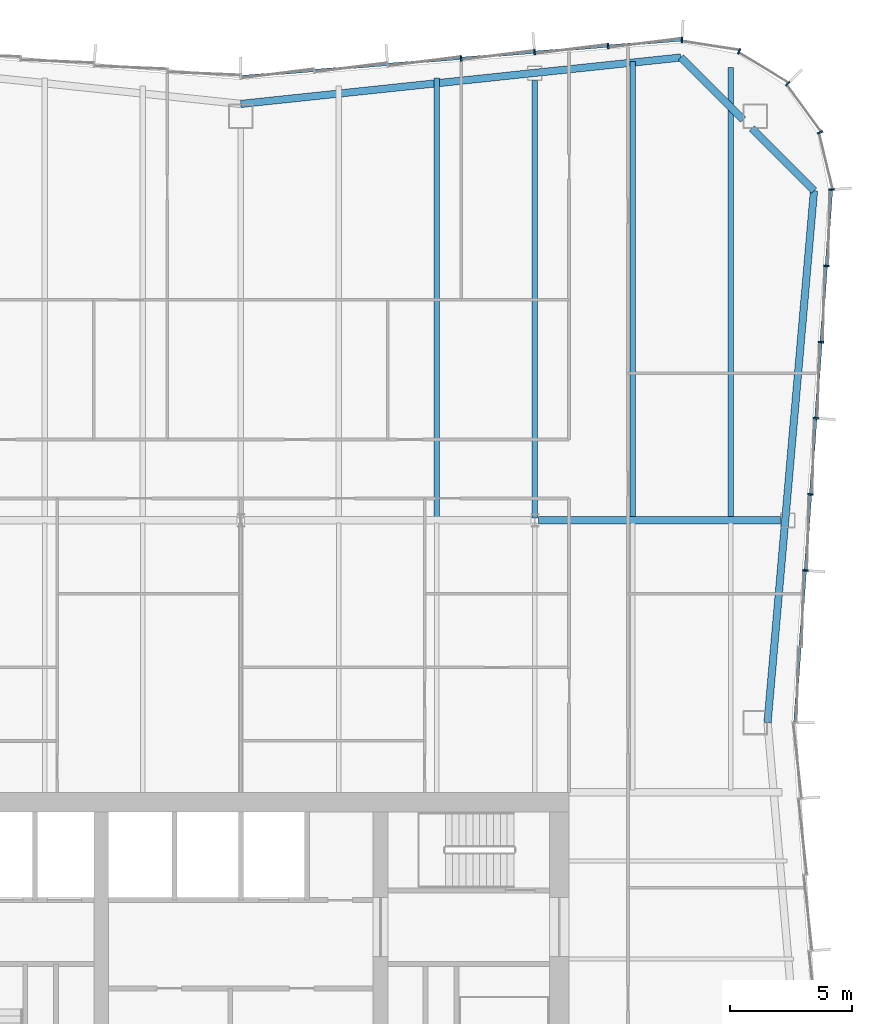
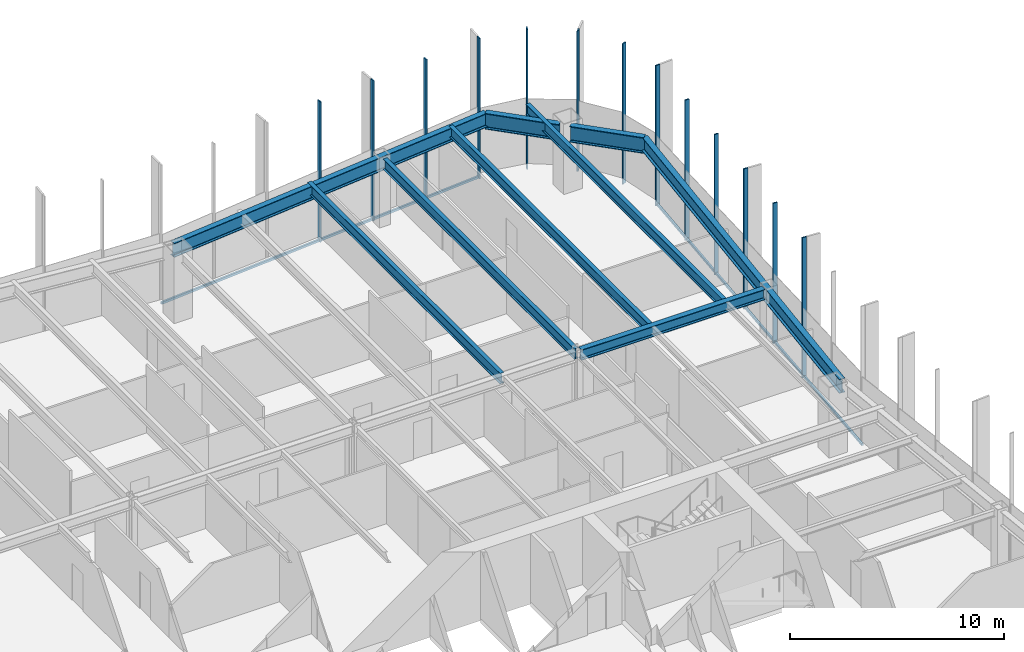
# One storey, part 8 of 15: 15 members, 9 beams, 3 elements without a shape of their own.
"""IFC4 building model written with IfcOpenShell, lengths in metres."""

from ifc_helpers import new_model, si_unit, direction, frame, origin, origin_2d, place, context, subcontext, project, spatial, rectangle, i_section, extrude, material, material_profile, profile_set, type_object, element, aggregate, save


model = new_model("IFC4")

# Units and contexts
model_context = context("Model", 3, precision=1e-05, world=origin(), true_north=direction((0.0, 1.0)))
body_context = subcontext(model_context, "Body", "Model", "MODEL_VIEW")
ifc_project = project(units=[si_unit("LENGTHUNIT", "METRE"), si_unit("AREAUNIT", "SQUARE_METRE"), si_unit("VOLUMEUNIT", "CUBIC_METRE"), si_unit("PLANEANGLEUNIT", "RADIAN"), si_unit("MASSUNIT", "GRAM", prefix="KILO")], contexts=[model_context])

# Site, building, storey
site_placement = place(None, origin())
site = spatial("IfcSite", under=ifc_project, at=site_placement, CompositionType="ELEMENT")
building_placement = place(site_placement, origin())
building = spatial("IfcBuilding", under=site, at=building_placement, Name="Verdant Reach Tower", CompositionType="ELEMENT")
storey_placement = place(building_placement, frame((0.0, 0.0, 274.0)))
storey = spatial("IfcBuildingStorey", under=building, at=storey_placement, Name="L63", CompositionType="ELEMENT", Elevation=274.0)

# Curtain wall, members
ifc_material_1 = material(Name="Anodised aluminium", Category="aluminium")
curtain_wall_type = type_object("IfcCurtainWallType", Name="EN-CW SYSTEM Z4", PredefinedType="NOTDEFINED", material=ifc_material_1)
curtain_wall_1_placement = place(storey_placement, origin())
curtain_wall_1 = element("IfcCurtainWall", 1, at=curtain_wall_1_placement, inside=storey, type_object=curtain_wall_type, Name="Curtain wall east, L63", PredefinedType="NOTDEFINED")
ifc_material_profile_1 = material_profile(ifc_material_1, rectangle(XDim=0.22412109375, YDim=0.068115234375, at=origin_2d()), Name="Mullion 68x224")
ifc_profile_set_1 = profile_set([ifc_material_profile_1], Name="Anodised aluminium")
member_type_1 = type_object("IfcMemberType", Name="EN-MULLION Z4", PredefinedType="MULLION", material=ifc_profile_set_1)
member_1_placement = place(storey_placement, frame((23.040283203125, 47.45654296875, -0.35009765625), z_axis=(0.0, 0.0, 1.0), x_axis=(0.997630328423, -0.068802091615, 0.0)))
member_1 = element("IfcMember", 2, at=member_1_placement, type_object=member_type_1, Name="Mullion east face part 2 3, L63", PredefinedType="MULLION", context=body_context, shape_type="SweptSolid", body=[
    extrude(rectangle(XDim=0.22412109375, YDim=0.068115234375, at=origin_2d()), origin(), (0.0, 0.0, 1.0), 8.0),
])
member_2_placement = place(storey_placement, frame((23.254638671875, 50.563720703125, -0.35009765625), z_axis=(0.0, 0.0, 1.0), x_axis=(0.997630328423, -0.068802091615, 0.0)))
member_2 = element("IfcMember", 3, at=member_2_placement, type_object=member_type_1, Name="Mullion east face part 2 4, L63", PredefinedType="MULLION", context=body_context, shape_type="SweptSolid", body=[
    extrude(rectangle(XDim=0.22412109375, YDim=0.068115234375, at=origin_2d()), origin(), (0.0, 0.0, 1.0), 8.0),
])
member_3_placement = place(storey_placement, frame((23.468994140625, 53.6708984375, -0.35009765625), z_axis=(0.0, 0.0, 1.0), x_axis=(0.997630328423, -0.068802091615, 0.0)))
member_3 = element("IfcMember", 4, at=member_3_placement, type_object=member_type_1, Name="Mullion east face part 2 5, L63", PredefinedType="MULLION", context=body_context, shape_type="SweptSolid", body=[
    extrude(rectangle(XDim=0.22412109375, YDim=0.068115234375, at=origin_2d()), origin(), (0.0, 0.0, 1.0), 8.0),
])
member_4_placement = place(storey_placement, frame((23.68310546875, 56.778076171875, -0.35009765625), z_axis=(0.0, 0.0, 1.0), x_axis=(0.997630328423, -0.068802091615, 0.0)))
member_4 = element("IfcMember", 5, at=member_4_placement, type_object=member_type_1, Name="Mullion east face part 2 6, L63", PredefinedType="MULLION", context=body_context, shape_type="SweptSolid", body=[
    extrude(rectangle(XDim=0.22412109375, YDim=0.068115234375, at=origin_2d()), origin(), (0.0, 0.0, 1.0), 8.0),
])
member_5_placement = place(storey_placement, frame((23.8974609375, 59.88525390625, -0.35009765625), z_axis=(0.0, 0.0, 1.0), x_axis=(0.997630328423, -0.068802091615, 0.0)))
member_5 = element("IfcMember", 6, at=member_5_placement, type_object=member_type_1, Name="Mullion east face part 2 7, L63", PredefinedType="MULLION", context=body_context, shape_type="SweptSolid", body=[
    extrude(rectangle(XDim=0.22412109375, YDim=0.068115234375, at=origin_2d()), origin(), (0.0, 0.0, 1.0), 8.0),
])

curtain_wall_2_placement = place(storey_placement, origin())
curtain_wall_2 = element("IfcCurtainWall", 7, at=curtain_wall_2_placement, inside=storey, type_object=curtain_wall_type, Name="Curtain wall north-east corner, L63", PredefinedType="NOTDEFINED")
member_6_placement = place(storey_placement, frame((24.11181640625, 63.007080078125, -0.35009765625), z_axis=(0.0, 0.0, 1.0), x_axis=(0.997969180898, 0.063698618332, 0.0)))
member_6 = element("IfcMember", 8, at=member_6_placement, type_object=member_type_1, Name="Mullion north-east corner 1, L63", PredefinedType="MULLION", context=body_context, shape_type="SweptSolid", body=[
    extrude(rectangle(XDim=0.22412109375, YDim=0.068115234375, at=origin_2d()), origin(), (0.0, 0.0, 1.0), 8.0),
])
member_7_placement = place(storey_placement, frame((23.646728515625, 65.3388671875, -0.35009765625), z_axis=(0.0, 0.0, 1.0), x_axis=(0.923875215753, 0.382693853776, 0.0)))
member_7 = element("IfcMember", 9, at=member_7_placement, type_object=member_type_1, Name="Mullion north-east corner 2, L63", PredefinedType="MULLION", context=body_context, shape_type="SweptSolid", body=[
    extrude(rectangle(XDim=0.22412109375, YDim=0.068115234375, at=origin_2d()), origin(), (0.0, 0.0, 1.0), 8.0),
])
member_8_placement = place(storey_placement, frame((22.32177734375, 67.32177734375, -0.35009765625), z_axis=(0.0, 0.0, 1.0), x_axis=(0.707106781187, 0.707106781187, 0.0)))
member_8 = element("IfcMember", 10, at=member_8_placement, type_object=member_type_1, Name="Mullion north-east corner 3, L63", PredefinedType="MULLION", context=body_context, shape_type="SweptSolid", body=[
    extrude(rectangle(XDim=0.22412109375, YDim=0.068115234375, at=origin_2d()), origin(), (0.0, 0.0, 1.0), 8.0),
])
member_9_placement = place(storey_placement, frame((20.3388671875, 68.646728515625, -0.35009765625), z_axis=(0.0, 0.0, 1.0), x_axis=(0.382693853776, 0.923875215753, 0.0)))
member_9 = element("IfcMember", 11, at=member_9_placement, type_object=member_type_1, Name="Mullion north-east corner 4, L63", PredefinedType="MULLION", context=body_context, shape_type="SweptSolid", body=[
    extrude(rectangle(XDim=0.22412109375, YDim=0.068115234375, at=origin_2d()), origin(), (0.0, 0.0, 1.0), 8.0),
])
aggregate(curtain_wall_2, [member_6, member_7, member_8, member_9])

curtain_wall_3_placement = place(storey_placement, origin())
curtain_wall_3 = element("IfcCurtainWall", 12, at=curtain_wall_3_placement, inside=storey, type_object=curtain_wall_type, Name="Curtain wall north, L63", PredefinedType="NOTDEFINED")
member_10_placement = place(storey_placement, frame((18.00634765625, 69.11181640625, -0.35009765625), z_axis=(0.0, 0.0, 1.0), x_axis=(0.056569187765, 0.998398681387, 0.0)))
member_10 = element("IfcMember", 13, at=member_10_placement, type_object=member_type_1, Name="Mullion north face part 1 1, L63", PredefinedType="MULLION", context=body_context, shape_type="SweptSolid", body=[
    extrude(rectangle(XDim=0.22412109375, YDim=0.068115234375, at=origin_2d()), origin(), (0.0, 0.0, 1.0), 8.0),
])
member_11_placement = place(storey_placement, frame((14.99072265625, 68.861572265625, -0.35009765625), z_axis=(0.0, 0.0, 1.0), x_axis=(-0.083045479859, 0.996545758244, 0.0)))
member_11 = element("IfcMember", 14, at=member_11_placement, type_object=member_type_1, Name="Mullion north face part 1 2, L63", PredefinedType="MULLION", context=body_context, shape_type="SweptSolid", body=[
    extrude(rectangle(XDim=0.22412109375, YDim=0.068115234375, at=origin_2d()), origin(), (0.0, 0.0, 1.0), 8.0),
])
member_12_placement = place(storey_placement, frame((11.99072265625, 68.611572265625, -0.35009765625), z_axis=(0.0, 0.0, 1.0), x_axis=(-0.083045479859, 0.996545758244, 0.0)))
member_12 = element("IfcMember", 15, at=member_12_placement, type_object=member_type_1, Name="Mullion north face part 1 3, L63", PredefinedType="MULLION", context=body_context, shape_type="SweptSolid", body=[
    extrude(rectangle(XDim=0.22412109375, YDim=0.068115234375, at=origin_2d()), origin(), (0.0, 0.0, 1.0), 8.0),
])
member_13_placement = place(storey_placement, frame((8.99072265625, 68.361572265625, -0.35009765625), z_axis=(0.0, 0.0, 1.0), x_axis=(-0.083045479859, 0.996545758244, 0.0)))
member_13 = element("IfcMember", 16, at=member_13_placement, type_object=member_type_1, Name="Mullion north face part 1 4, L63", PredefinedType="MULLION", context=body_context, shape_type="SweptSolid", body=[
    extrude(rectangle(XDim=0.22412109375, YDim=0.068115234375, at=origin_2d()), origin(), (0.0, 0.0, 1.0), 8.0),
])

# Member
ifc_material_profile_2 = material_profile(ifc_material_1, rectangle(XDim=0.10009765625, YDim=0.1279296875, at=origin_2d()), Name="Transom 128x100")
ifc_profile_set_2 = profile_set([ifc_material_profile_2], Name="Anodised aluminium")
member_type_2 = type_object("IfcMemberType", Name="EN-TRANSOM Z4", PredefinedType="USERDEFINED", material=ifc_profile_set_2)
member_14_placement = place(storey_placement, frame((22.6142578125, 41.283935546875, -0.285888671875), z_axis=(0.068770489035, 0.997632507408, 0.0), x_axis=(-0.997632507408, 0.068770489035, 0.0)))
member_14 = element("IfcMember", 17, at=member_14_placement, type_object=member_type_2, Name="Transom east face part 2 1.1, L63", ObjectType="TRANSOM", PredefinedType="USERDEFINED", context=body_context, shape_type="SweptSolid", body=[
    extrude(rectangle(XDim=0.10009765625, YDim=0.1279296875, at=origin_2d()), origin(), (0.0, 0.0, 1.0), 21.74072265625),
])

aggregate(curtain_wall_1, [member_1, member_2, member_3, member_4, member_5, member_14])

member_15_placement = place(storey_placement, frame((17.972412109375, 69.10888671875, -0.285888671875), z_axis=(-0.996549124771, -0.083005071637, 0.0), x_axis=(0.083005071637, -0.996549124771, 0.0)))
member_15 = element("IfcMember", 18, at=member_15_placement, type_object=member_type_2, Name="Transom north face part 1 1.1, L63", ObjectType="TRANSOM", PredefinedType="USERDEFINED", context=body_context, shape_type="SweptSolid", body=[
    extrude(rectangle(XDim=0.10009765625, YDim=0.1279296875, at=origin_2d()), origin(), (0.0, 0.0, 1.0), 18.00048828125),
])

aggregate(curtain_wall_3, [member_10, member_11, member_12, member_13, member_15])

# Beams
ifc_material_2 = material(Name="Steel S355", Category="steel")
ifc_material_profile_3 = material_profile(ifc_material_2, i_section(OverallWidth=0.300048828125, OverallDepth=0.60009765625, WebThickness=0.015380859375, FlangeThickness=0.030029296875, FilletRadius=0.027099609375, at=origin_2d()), Name="HEB 600")
ifc_profile_set_3 = profile_set([ifc_material_profile_3], Name="Steel S355")
beam_type_1 = type_object("IfcBeamType", Name="ST-BEAM-HEB600", PredefinedType="BEAM", material=ifc_profile_set_3)
beam_1_placement = place(storey_placement, frame((12.153076171875, 49.5, 3.570068359375), z_axis=(1.0, 0.0, 0.0), x_axis=(0.0, 1.0, 0.0)))
element("IfcBeam", 19, at=beam_1_placement, inside=storey, type_object=beam_type_1, Name="Row girder, L63", PredefinedType="BEAM", context=body_context, shape_type="SweptSolid", body=[
    extrude(i_section(OverallWidth=0.300048828125, OverallDepth=0.60009765625, WebThickness=0.015380859375, FlangeThickness=0.030029296875, FilletRadius=0.027099609375, at=origin_2d()), origin(), (0.0, 0.0, 1.0), 9.865966796875),
])
ifc_material_profile_4 = material_profile(ifc_material_2, i_section(OverallWidth=0.219970703125, OverallDepth=0.60009765625, WebThickness=0.011962890625, FlangeThickness=0.01904296875, FilletRadius=0.02392578125, at=origin_2d()), Name="IPE 600")
ifc_profile_set_4 = profile_set([ifc_material_profile_4], Name="Steel S355")
beam_type_2 = type_object("IfcBeamType", Name="ST-JOIST-IPE600", PredefinedType="JOIST", material=ifc_profile_set_4)
beam_2_placement = place(storey_placement, frame((8.0, 49.60009765625, 3.570068359375), z_axis=(0.0, 1.0, 0.0), x_axis=(-1.0, 0.0, 0.0)))
element("IfcBeam", 20, at=beam_2_placement, inside=storey, type_object=beam_type_2, Name="Floor joist, L63", PredefinedType="JOIST", context=body_context, shape_type="SweptSolid", body=[
    extrude(i_section(OverallWidth=0.219970703125, OverallDepth=0.60009765625, WebThickness=0.011962890625, FlangeThickness=0.01904296875, FilletRadius=0.02392578125, at=origin_2d()), origin(), (0.0, 0.0, 1.0), 17.964599609375),
])
beam_3_placement = place(storey_placement, frame((12.0, 49.60009765625, 3.570068359375), z_axis=(0.0, 1.0, 0.0), x_axis=(-1.0, 0.0, 0.0)))
element("IfcBeam", 21, at=beam_3_placement, inside=storey, type_object=beam_type_2, Name="Floor joist, L63", PredefinedType="JOIST", context=body_context, shape_type="SweptSolid", body=[
    extrude(i_section(OverallWidth=0.219970703125, OverallDepth=0.60009765625, WebThickness=0.011962890625, FlangeThickness=0.01904296875, FilletRadius=0.02392578125, at=origin_2d()), origin(), (0.0, 0.0, 1.0), 17.849853515625),
])
beam_4_placement = place(storey_placement, frame((16.0, 49.60009765625, 3.570068359375), z_axis=(0.0, 1.0, 0.0), x_axis=(-1.0, 0.0, 0.0)))
element("IfcBeam", 22, at=beam_4_placement, inside=storey, type_object=beam_type_2, Name="Floor joist, L63", PredefinedType="JOIST", context=body_context, shape_type="SweptSolid", body=[
    extrude(i_section(OverallWidth=0.219970703125, OverallDepth=0.60009765625, WebThickness=0.011962890625, FlangeThickness=0.01904296875, FilletRadius=0.02392578125, at=origin_2d()), origin(), (0.0, 0.0, 1.0), 18.631103515625),
])
beam_5_placement = place(storey_placement, frame((20.0, 49.60009765625, 3.570068359375), z_axis=(0.0, 1.0, 0.0), x_axis=(-1.0, 0.0, 0.0)))
element("IfcBeam", 23, at=beam_5_placement, inside=storey, type_object=beam_type_2, Name="Floor joist, L63", PredefinedType="JOIST", context=body_context, shape_type="SweptSolid", body=[
    extrude(i_section(OverallWidth=0.219970703125, OverallDepth=0.60009765625, WebThickness=0.011962890625, FlangeThickness=0.01904296875, FilletRadius=0.02392578125, at=origin_2d()), origin(), (0.0, 0.0, 1.0), 18.390380859375),
])
ifc_material_profile_5 = material_profile(ifc_material_2, i_section(OverallWidth=0.300048828125, OverallDepth=0.800048828125, WebThickness=0.017578125, FlangeThickness=0.032958984375, FilletRadius=0.030029296875, at=origin_2d()), Name="HEB 800")
ifc_profile_set_5 = profile_set([ifc_material_profile_5], Name="Steel S355")
beam_type_3 = type_object("IfcBeamType", Name="ST-SPANDREL-HEB800", PredefinedType="SPANDREL", material=ifc_profile_set_5)
beam_6_placement = place(storey_placement, frame((0.0, 66.5, 3.469970703125), z_axis=(0.994483067002, 0.104897232783, 0.0), x_axis=(-0.104897232783, 0.994483067002, 0.0)))
element("IfcBeam", 24, at=beam_6_placement, inside=storey, type_object=beam_type_3, Name="Edge beam, L63", PredefinedType="SPANDREL", context=body_context, shape_type="SweptSolid", body=[
    extrude(i_section(OverallWidth=0.300048828125, OverallDepth=0.800048828125, WebThickness=0.017578125, FlangeThickness=0.032958984375, FilletRadius=0.030029296875, at=origin_2d()), origin(), (0.0, 0.0, 1.0), 18.0654296875),
])
beam_7_placement = place(storey_placement, frame((23.39599609375, 62.96142578125, 3.469970703125), z_axis=(-0.086996024331, -0.996208658741, 0.0), x_axis=(0.996208658741, -0.086996024331, 0.0)))
element("IfcBeam", 25, at=beam_7_placement, inside=storey, type_object=beam_type_3, Name="Edge beam, L63", PredefinedType="SPANDREL", context=body_context, shape_type="SweptSolid", body=[
    extrude(i_section(OverallWidth=0.300048828125, OverallDepth=0.800048828125, WebThickness=0.017578125, FlangeThickness=0.032958984375, FilletRadius=0.030029296875, at=origin_2d()), origin(), (0.0, 0.0, 1.0), 21.7939453125),
])
ifc_material_profile_6 = material_profile(ifc_material_2, i_section(OverallWidth=0.302001953125, OverallDepth=0.909912109375, WebThickness=0.02099609375, FlangeThickness=0.0400390625, FilletRadius=0.030029296875, at=origin_2d()), Name="HEM 900")
ifc_profile_set_6 = profile_set([ifc_material_profile_6], Name="Steel S355")
beam_type_4 = type_object("IfcBeamType", Name="ST-SPANDREL-HEM900", PredefinedType="SPANDREL", material=ifc_profile_set_6)
beam_8_placement = place(storey_placement, frame((17.9658203125, 68.39501953125, 3.4150390625), z_axis=(0.706868394255, -0.707345087777, 0.0), x_axis=(0.707345087777, 0.706868394255, 0.0)))
element("IfcBeam", 26, at=beam_8_placement, inside=storey, type_object=beam_type_4, Name="Edge beam, L63", PredefinedType="SPANDREL", context=body_context, shape_type="SweptSolid", body=[
    extrude(i_section(OverallWidth=0.302001953125, OverallDepth=0.909912109375, WebThickness=0.02099609375, FlangeThickness=0.0400390625, FilletRadius=0.030029296875, at=origin_2d()), origin(), (0.0, 0.0, 1.0), 3.5849609375),
])
beam_9_placement = place(storey_placement, frame((20.85888671875, 65.5, 3.4150390625), z_axis=(0.706902680526, -0.707310822952, 0.0), x_axis=(0.707310822952, 0.706902680526, 0.0)))
element("IfcBeam", 27, at=beam_9_placement, inside=storey, type_object=beam_type_4, Name="Edge beam, L63", PredefinedType="SPANDREL", context=body_context, shape_type="SweptSolid", body=[
    extrude(i_section(OverallWidth=0.302001953125, OverallDepth=0.909912109375, WebThickness=0.02099609375, FlangeThickness=0.0400390625, FilletRadius=0.030029296875, at=origin_2d()), origin(), (0.0, 0.0, 1.0), 3.589111328125),
])

save(model, "model.ifc")
